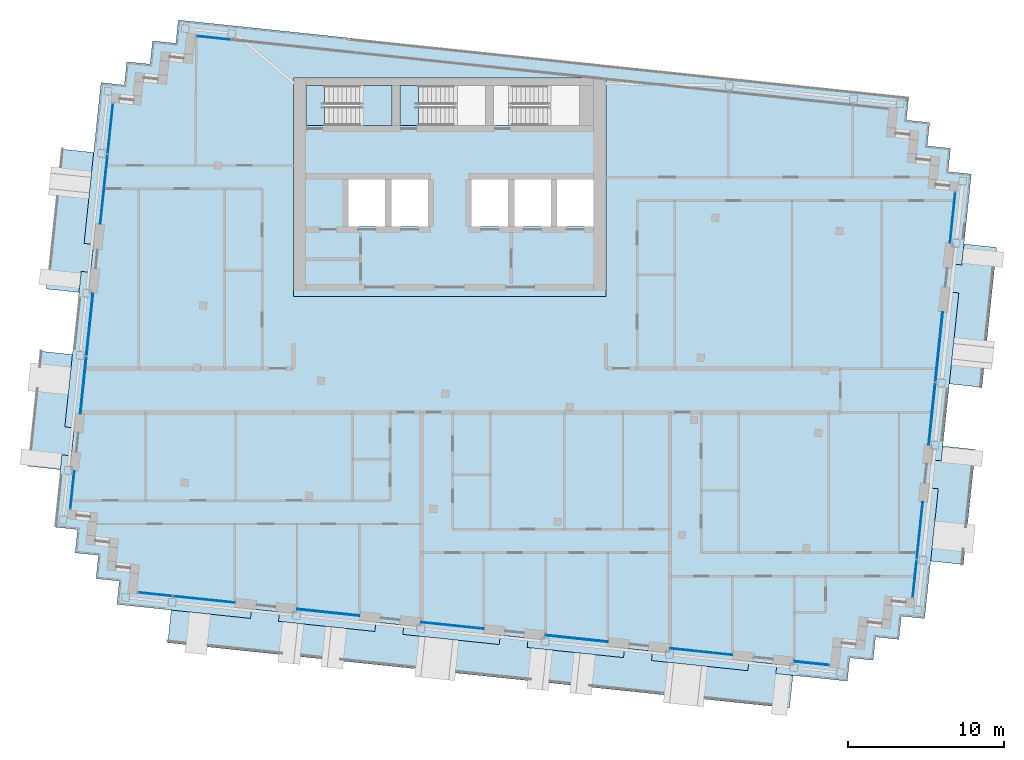
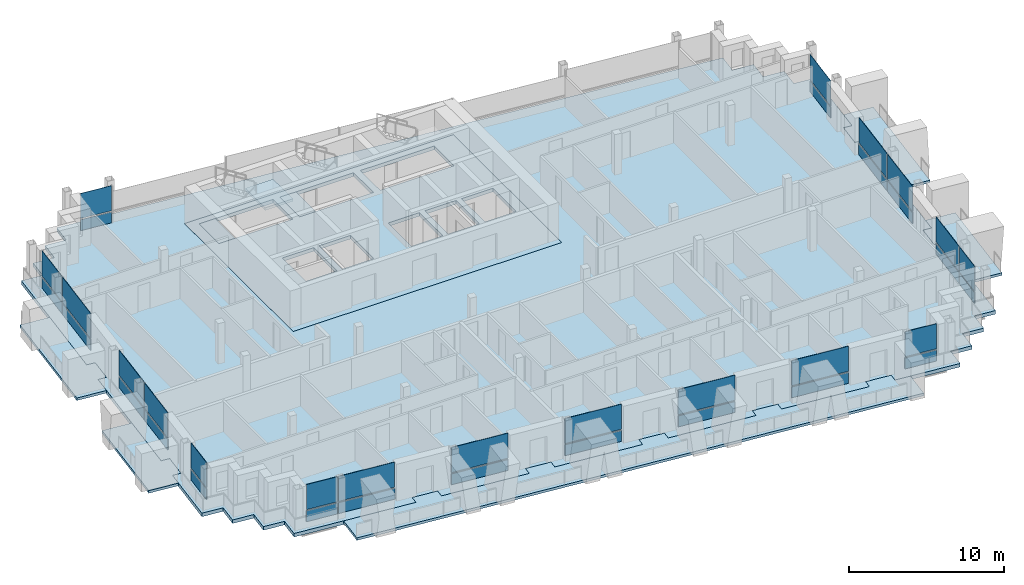
# One storey, part 7 of 17: 36 plates, 10 slabs, 14 elements without a shape of their own.
"""IFC4 building model written with IfcOpenShell, lengths in metres."""

import ifcopenshell
import ifcopenshell.guid

model = None  # the IFC model being written
_history = None  # IfcOwnerHistory: only IFC2X3 demands one
_inside = {}  # id of a spatial element -> (the spatial element, [elements in it])
_under = {}  # id of a project, library or spatial element -> (it, [spatial elements below it])
_declared = {}  # id of a project -> (the project, [libraries it declares])
_typed = {}  # id of a type object -> (the type object, [elements of that type])
_made_of = {}  # id of a material, layer set ... -> (it, [elements and type objects made of it])


def new_model(schema):
    """Start an empty IFC model of exactly this schema.

    Asked for "IFC4X3", IfcOpenShell would pick the latest addendum, in which some entities
    have other attributes; the version numbers below select the first issue.
    IFC2X3 requires an IfcOwnerHistory on every rooted entity: one is made here for all.
    """
    global model, _history
    if schema == "IFC4X3":
        model = ifcopenshell.file(schema_version=(4, 3, 0, 0))
    else:
        model = ifcopenshell.file(schema=schema)
    _inside.clear()
    _under.clear()
    _declared.clear()
    _typed.clear()
    _made_of.clear()
    _history = None
    if model.schema == "IFC2X3":
        org = make("IfcOrganization", Name="unknown")
        user = make(
            "IfcPersonAndOrganization",
            ThePerson=make("IfcPerson", FamilyName="unknown"),
            TheOrganization=org,
        )
        app = make(
            "IfcApplication",
            ApplicationDeveloper=org,
            Version="unknown",
            ApplicationFullName="unknown",
            ApplicationIdentifier="unknown",
        )
        _history = make(
            "IfcOwnerHistory",
            OwningUser=user,
            OwningApplication=app,
            ChangeAction="ADDED",
            CreationDate=0,
        )
    return model


def make(cls, **values):
    """One entity of the class cls with the attributes given. An attribute that is None is left unset."""
    return model.create_entity(
        cls, **{name: value for name, value in values.items() if value is not None}
    )


def rooted(cls, **values):
    """An entity with a GlobalId (a new one), such as an element, a storey or a relation."""
    return make(cls, GlobalId=ifcopenshell.guid.new(), OwnerHistory=_history, **values)


def si_unit(unit_type, name, prefix=None):
    """IfcSIUnit, for example si_unit("LENGTHUNIT", "METRE", prefix="MILLI")."""
    return make("IfcSIUnit", UnitType=unit_type, Prefix=prefix, Name=name)


def assignment(units):
    """IfcUnitAssignment: the units of a project."""
    return None if units is None else make("IfcUnitAssignment", Units=units)


def point(xyz):
    """IfcCartesianPoint."""
    return None if xyz is None else make("IfcCartesianPoint", Coordinates=xyz)


def direction(xyz):
    """IfcDirection."""
    return None if xyz is None else make("IfcDirection", DirectionRatios=xyz)


def frame(location, z_axis=None, x_axis=None):
    """IfcAxis2Placement3D, a coordinate frame: its origin and axes. An axis left out is left unset."""
    return make(
        "IfcAxis2Placement3D",
        Location=point(location),
        Axis=direction(z_axis),
        RefDirection=direction(x_axis),
    )


def frame_2d(location, x_axis=None):
    """IfcAxis2Placement2D, a coordinate frame in the plane: its origin and x axis."""
    return make(
        "IfcAxis2Placement2D", Location=point(location), RefDirection=direction(x_axis)
    )


def origin():
    """The frame at (0, 0, 0) with its axes left unset."""
    return frame((0.0, 0.0, 0.0))


def origin_2d():
    """The frame at (0, 0) in the plane with its x axis left unset."""
    return frame_2d((0.0, 0.0))


def place(relative_to, where):
    """IfcLocalPlacement: puts the frame where relative to a parent placement (None: the world)."""
    return make(
        "IfcLocalPlacement", PlacementRelTo=relative_to, RelativePlacement=where
    )


def context(
    kind, dimensions, precision=None, world=None, true_north=None, identifier=None
):
    """IfcGeometricRepresentationContext, for example the 3D "Model" context."""
    return make(
        "IfcGeometricRepresentationContext",
        ContextIdentifier=identifier,
        ContextType=kind,
        CoordinateSpaceDimension=dimensions,
        Precision=precision,
        WorldCoordinateSystem=world,
        TrueNorth=true_north,
    )


def subcontext(parent, identifier, kind, view, scale=None):
    """IfcGeometricRepresentationSubContext, for example "Body" below "Model"."""
    return make(
        "IfcGeometricRepresentationSubContext",
        ContextIdentifier=identifier,
        ContextType=kind,
        ParentContext=parent,
        TargetScale=scale,
        TargetView=view,
    )


def project(units=None, contexts=None):
    """IfcProject with its units and contexts."""
    return rooted(
        "IfcProject",
        Name="project",
        RepresentationContexts=contexts,
        UnitsInContext=assignment(units),
    )


def spatial(cls, under=None, at=None, **own):
    """A site, building, storey or space (cls), placed at a placement, below another one or the project."""
    s = rooted(cls, ObjectPlacement=at, **own)
    if under is not None:
        _under.setdefault(under.id(), (under, []))[1].append(s)
    return s


def polyline(points):
    """IfcPolyline through the points."""
    return make("IfcPolyline", Points=[point(p) for p in points])


def profile(cls, at=None, kind="AREA", **sizes):
    """A parametric profile (cls). Its sizes go by their IFC names, for example OverallWidth=200.0."""
    return make(cls, ProfileType=kind, Position=at, **sizes)


def rectangle(**sizes):
    """IfcRectangleProfileDef."""
    return profile("IfcRectangleProfileDef", **sizes)


def outline(outer, holes=None, kind="AREA"):
    """IfcArbitraryClosedProfileDef: a profile drawn as a closed curve; with holes, ...WithVoids."""
    if holes is None:
        return make("IfcArbitraryClosedProfileDef", ProfileType=kind, OuterCurve=outer)
    return make(
        "IfcArbitraryProfileDefWithVoids",
        ProfileType=kind,
        OuterCurve=outer,
        InnerCurves=holes,
    )


def extrude(swept, where, along, depth):
    """IfcExtrudedAreaSolid: the profile swept, set in the frame where, extruded along a direction by depth."""
    return make(
        "IfcExtrudedAreaSolid",
        SweptArea=swept,
        Position=where,
        ExtrudedDirection=direction(along),
        Depth=depth,
    )


def shape(context_of_items, identifier, shape_type, items):
    """IfcShapeRepresentation: the items that make up one representation, for example the "Body"."""
    return make(
        "IfcShapeRepresentation",
        ContextOfItems=context_of_items,
        RepresentationIdentifier=identifier,
        RepresentationType=shape_type,
        Items=items,
    )


def material(Name=None, Category=None):
    """IfcMaterial."""
    return make("IfcMaterial", Name=Name, Category=Category)


def layer(
    of_material, thickness, ventilated=None, Name=None, Category=None, Priority=None
):
    """IfcMaterialLayer: one layer of a wall or slab, of a material (None: an air gap)."""
    return make(
        "IfcMaterialLayer",
        Material=of_material,
        LayerThickness=thickness,
        IsVentilated=ventilated,
        Name=Name,
        Category=Category,
        Priority=Priority,
    )


def layer_set(layers, Name=None):
    """IfcMaterialLayerSet."""
    return make("IfcMaterialLayerSet", MaterialLayers=layers, LayerSetName=Name)


def made_of(thing, what):
    """Note that an element or type object is made of a material, layer set ...; save() writes the relation."""
    if what is not None:
        _made_of.setdefault(what.id(), (what, []))[1].append(thing)
    return thing


def type_object(cls, material=None, **own):
    """A type object (cls), such as IfcWallType, which elements share."""
    return made_of(rooted(cls, **own), material)


def element(
    cls,
    number,
    at=None,
    inside=None,
    cuts=None,
    type_object=None,
    material=None,
    context=None,
    identifier="Body",
    shape_type=None,
    held_by="IfcProductDefinitionShape",
    body=None,
    shapes=None,
    **own,
):
    """One element of the class cls, such as IfcWall. Its Tag is "e" and its number.

    at: its placement. inside: the storey or other place that contains it. cuts: it is an
    opening in that element (IfcRelVoidsElement). A single representation is given by context,
    identifier, shape_type and body (its items); several are given by shapes. held_by: the class
    of the entity that holds the representations. save() writes the other relations.
    """
    e = rooted(cls, Tag="e%d" % number, ObjectPlacement=at, **own)
    if body is not None:
        shapes = [shape(context, identifier, shape_type, body)]
    if shapes is not None:
        e.Representation = make(held_by, Representations=shapes)
    if inside is not None:
        _inside.setdefault(inside.id(), (inside, []))[1].append(e)
    if cuts is not None:
        rooted(
            "IfcRelVoidsElement", RelatingBuildingElement=cuts, RelatedOpeningElement=e
        )
    if type_object is not None:
        _typed.setdefault(type_object.id(), (type_object, []))[1].append(e)
    return made_of(e, material)


def aggregate(whole, parts):
    """IfcRelAggregates: a whole, such as a stair, and the parts it consists of."""
    return rooted("IfcRelAggregates", RelatingObject=whole, RelatedObjects=parts)


def save(model, path):
    """Write the relations noted so far, then the file.

    IfcRelAggregates (storeys below a building ...), IfcRelContainedInSpatialStructure (elements
    in a storey), IfcRelDefinesByType, IfcRelAssociatesMaterial and IfcRelDeclares: one each for
    every whole, place, type object, material and project.
    """
    for whole, parts in _under.values():
        aggregate(whole, parts)
    for where, things in _inside.values():
        rooted(
            "IfcRelContainedInSpatialStructure",
            RelatedElements=things,
            RelatingStructure=where,
        )
    for kind, things in _typed.values():
        rooted("IfcRelDefinesByType", RelatedObjects=things, RelatingType=kind)
    for what, things in _made_of.values():
        rooted("IfcRelAssociatesMaterial", RelatedObjects=things, RelatingMaterial=what)
    for by, libraries in _declared.values():
        rooted("IfcRelDeclares", RelatingContext=by, RelatedDefinitions=libraries)
    model.write(path)


model = new_model("IFC4")

# Units and contexts
model_context = context("Model", 3, precision=1e-05, world=origin(), true_north=direction((0.0, 1.0)))
body_context = subcontext(model_context, "Body", "Model", "MODEL_VIEW")
ifc_project = project(units=[si_unit("LENGTHUNIT", "METRE"), si_unit("AREAUNIT", "SQUARE_METRE"), si_unit("VOLUMEUNIT", "CUBIC_METRE"), si_unit("PLANEANGLEUNIT", "RADIAN"), si_unit("MASSUNIT", "GRAM", prefix="KILO")], contexts=[model_context])

# Site, building, storey
site_placement = place(None, origin())
site = spatial("IfcSite", under=ifc_project, at=site_placement, CompositionType="ELEMENT")
building_placement = place(site_placement, origin())
building = spatial("IfcBuilding", under=site, at=building_placement, Name="Vidyagriha Tower", CompositionType="ELEMENT")
storey_placement = place(building_placement, frame((0.0, 0.0, 262.699951171875)))
storey = spatial("IfcBuildingStorey", under=building, at=storey_placement, Name="L68", CompositionType="ELEMENT", Elevation=262.699951171875)

# Curtain wall, plate
ifc_material_1 = material(Name="Aluminium and glass curtain wall", Category="aluminium")
curtain_wall_type = type_object("IfcCurtainWallType", Name="Dwelling skin unitised curtain wall", PredefinedType="USERDEFINED", material=ifc_material_1)
curtain_wall_1_placement = place(storey_placement, origin())
curtain_wall_1 = element("IfcCurtainWall", 1, at=curtain_wall_1_placement, inside=storey, type_object=curtain_wall_type, Name="CW1 dwelling skin", ObjectType="UNITISED", PredefinedType="USERDEFINED")
ifc_material_2 = material(Name="Glass dark ceramic-fritted spandrel", Category="glass")
ifc_layer_1 = layer(ifc_material_2, 0.0400390625)
ifc_layer_set_1 = layer_set([ifc_layer_1], Name="Glass dark ceramic-fritted spandrel")
plate_type_1 = type_object("IfcPlateType", Name="Ceramic-fritted spandrel panel", PredefinedType="CURTAIN_PANEL", material=ifc_layer_set_1)
plate_1_placement = place(storey_placement, frame((-15.11083984375, 22.56396484375, 0.0), z_axis=(0.0, 0.0, 1.0), x_axis=(-0.994521854435, 0.104528852722, 0.0)))
plate_1 = element("IfcPlate", 2, at=plate_1_placement, type_object=plate_type_1, Name="CW1 panel 7.1", PredefinedType="CURTAIN_PANEL", context=body_context, shape_type="SweptSolid", body=[
    extrude(rectangle(XDim=2.195068359375, YDim=0.0400390625, at=origin_2d()), origin(), (0.0, 0.0, 1.0), 0.85009765625),
])

# Curtain wall, plates
curtain_wall_2_placement = place(storey_placement, origin())
curtain_wall_2 = element("IfcCurtainWall", 3, at=curtain_wall_2_placement, inside=storey, type_object=curtain_wall_type, Name="CW1 dwelling skin", ObjectType="UNITISED", PredefinedType="USERDEFINED")
plate_2_placement = place(storey_placement, frame((-21.7216796875, 16.755615234375, 0.0), z_axis=(0.0, 0.0, 1.0), x_axis=(-0.104525282489, -0.994522229676, 0.0)))
plate_2 = element("IfcPlate", 4, at=plate_2_placement, type_object=plate_type_1, Name="CW1 panel 1.1", PredefinedType="CURTAIN_PANEL", context=body_context, shape_type="SweptSolid", body=[
    extrude(rectangle(XDim=3.195068359375, YDim=0.0400390625, at=origin_2d()), origin(), (0.0, 0.0, 1.0), 0.85009765625),
])
plate_3_placement = place(storey_placement, frame((-22.12939453125, 12.876953125, 0.0), z_axis=(0.0, 0.0, 1.0), x_axis=(-0.104525282489, -0.994522229676, 0.0)))
plate_3 = element("IfcPlate", 5, at=plate_3_placement, type_object=plate_type_1, Name="CW1 panel 2.1", PredefinedType="CURTAIN_PANEL", context=body_context, shape_type="SweptSolid", body=[
    extrude(rectangle(XDim=4.465087890625, YDim=0.0400390625, at=origin_2d()), origin(), (0.0, 0.0, 1.0), 0.85009765625),
])

# Curtain wall, plate
curtain_wall_3_placement = place(storey_placement, origin())
curtain_wall_3 = element("IfcCurtainWall", 6, at=curtain_wall_3_placement, inside=storey, type_object=curtain_wall_type, Name="CW1 dwelling skin", ObjectType="UNITISED", PredefinedType="USERDEFINED")
plate_4_placement = place(storey_placement, frame((-24.151611328125, -6.364501953125, 0.0), z_axis=(0.0, 0.0, 1.0), x_axis=(-0.10451613172, -0.994523191389, 0.0)))
plate_4 = element("IfcPlate", 7, at=plate_4_placement, type_object=plate_type_1, Name="CW1 panel 1.1", PredefinedType="CURTAIN_PANEL", context=body_context, shape_type="SweptSolid", body=[
    extrude(rectangle(XDim=2.43017578125, YDim=0.0400390625, at=origin_2d()), origin(), (0.0, 0.0, 1.0), 0.85009765625),
])

# Curtain wall, plates
curtain_wall_4_placement = place(storey_placement, origin())
curtain_wall_4 = element("IfcCurtainWall", 8, at=curtain_wall_4_placement, inside=storey, type_object=curtain_wall_type, Name="CW1 dwelling skin", ObjectType="UNITISED", PredefinedType="USERDEFINED")
plate_5_placement = place(storey_placement, frame((-18.852783203125, -13.0400390625, 0.0), z_axis=(0.0, 0.0, 1.0), x_axis=(0.994522400055, -0.104523661385, 0.0)))
plate_5 = element("IfcPlate", 9, at=plate_5_placement, type_object=plate_type_1, Name="CW1 panel 1.1", PredefinedType="CURTAIN_PANEL", context=body_context, shape_type="SweptSolid", body=[
    extrude(rectangle(XDim=2.195068359375, YDim=0.0400390625, at=origin_2d()), origin(), (0.0, 0.0, 1.0), 0.85009765625),
])
plate_6_placement = place(storey_placement, frame((-15.72021484375, -13.369384765625, 0.0), z_axis=(0.0, 0.0, 1.0), x_axis=(0.994522400055, -0.104523661385, 0.0)))
plate_6 = element("IfcPlate", 10, at=plate_6_placement, type_object=plate_type_1, Name="CW1 panel 2.1", PredefinedType="CURTAIN_PANEL", context=body_context, shape_type="SweptSolid", body=[
    extrude(rectangle(XDim=3.965087890625, YDim=0.0400390625, at=origin_2d()), origin(), (0.0, 0.0, 1.0), 0.85009765625),
])

# Curtain wall, plate
curtain_wall_5_placement = place(storey_placement, origin())
curtain_wall_5 = element("IfcCurtainWall", 11, at=curtain_wall_5_placement, inside=storey, type_object=curtain_wall_type, Name="CW1 dwelling skin", ObjectType="UNITISED", PredefinedType="USERDEFINED")
plate_7_placement = place(storey_placement, frame((0.1748046875, -15.039794921875, 0.0), z_axis=(0.0, 0.0, 1.0), x_axis=(0.994522016164, -0.104527313963, 0.0)))
plate_7 = element("IfcPlate", 12, at=plate_7_placement, type_object=plate_type_1, Name="CW1 panel 1.1", PredefinedType="CURTAIN_PANEL", context=body_context, shape_type="SweptSolid", body=[
    extrude(rectangle(XDim=4.0, YDim=0.0400390625, at=origin_2d()), origin(), (0.0, 0.0, 1.0), 0.85009765625),
])

curtain_wall_6_placement = place(storey_placement, origin())
curtain_wall_6 = element("IfcCurtainWall", 13, at=curtain_wall_6_placement, inside=storey, type_object=curtain_wall_type, Name="CW1 dwelling skin", ObjectType="UNITISED", PredefinedType="USERDEFINED")
plate_8_placement = place(storey_placement, frame((16.087158203125, -16.71240234375, 0.0), z_axis=(0.0, 0.0, 1.0), x_axis=(0.994522289309, -0.104524715101, 0.0)))
plate_8 = element("IfcPlate", 14, at=plate_8_placement, type_object=plate_type_1, Name="CW1 panel 1.1", PredefinedType="CURTAIN_PANEL", context=body_context, shape_type="SweptSolid", body=[
    extrude(rectangle(XDim=4.0, YDim=0.0400390625, at=origin_2d()), origin(), (0.0, 0.0, 1.0), 0.85009765625),
])

# Curtain wall, plates
curtain_wall_7_placement = place(storey_placement, origin())
curtain_wall_7 = element("IfcCurtainWall", 15, at=curtain_wall_7_placement, inside=storey, type_object=curtain_wall_type, Name="CW1 dwelling skin", ObjectType="UNITISED", PredefinedType="USERDEFINED")
plate_9_placement = place(storey_placement, frame((29.74951171875, -12.04736328125, 0.0), z_axis=(0.0, 0.0, 1.0), x_axis=(0.10453281607, 0.994521437861, 0.0)))
plate_9 = element("IfcPlate", 16, at=plate_9_placement, type_object=plate_type_1, Name="CW1 panel 1.1", PredefinedType="CURTAIN_PANEL", context=body_context, shape_type="SweptSolid", body=[
    extrude(rectangle(XDim=2.39501953125, YDim=0.0400390625, at=origin_2d()), origin(), (0.0, 0.0, 1.0), 0.85009765625),
])
plate_10_placement = place(storey_placement, frame((30.073486328125, -8.96435546875, 0.0), z_axis=(0.0, 0.0, 1.0), x_axis=(0.10453281607, 0.994521437861, 0.0)))
plate_10 = element("IfcPlate", 17, at=plate_10_placement, type_object=plate_type_1, Name="CW1 panel 2.1", PredefinedType="CURTAIN_PANEL", context=body_context, shape_type="SweptSolid", body=[
    extrude(rectangle(XDim=3.6650390625, YDim=0.0400390625, at=origin_2d()), origin(), (0.0, 0.0, 1.0), 0.85009765625),
])

# Curtain wall, plate
curtain_wall_8_placement = place(storey_placement, origin())
curtain_wall_8 = element("IfcCurtainWall", 18, at=curtain_wall_8_placement, inside=storey, type_object=curtain_wall_type, Name="CW1 dwelling skin", ObjectType="UNITISED", PredefinedType="USERDEFINED")
plate_11_placement = place(storey_placement, frame((32.1796875, 11.07275390625, 0.0), z_axis=(0.0, 0.0, 1.0), x_axis=(0.10451599791, 0.994523205451, 0.0)))
plate_11 = element("IfcPlate", 19, at=plate_11_placement, type_object=plate_type_1, Name="CW1 panel 1.1", PredefinedType="CURTAIN_PANEL", context=body_context, shape_type="SweptSolid", body=[
    extrude(rectangle(XDim=3.22998046875, YDim=0.0400390625, at=origin_2d()), origin(), (0.0, 0.0, 1.0), 0.85009765625),
])

# Slab
ifc_material_3 = material(Name="Concrete C60/75", Category="concrete")
ifc_layer_2 = layer(ifc_material_3, 0.280029296875)
ifc_layer_set_2 = layer_set([ifc_layer_2], Name="Concrete C60/75")
slab_type_1 = type_object("IfcSlabType", Name="Core floor slab 280 mm", PredefinedType="FLOOR", material=ifc_layer_set_2)
slab_1_placement = place(storey_placement, frame((0.0, 0.0, -0.280029296875)))
element("IfcSlab", 20, at=slab_1_placement, inside=storey, type_object=slab_type_1, Name="L68 core floor 1", PredefinedType="FLOOR", context=body_context, shape_type="SweptSolid", body=[
    extrude(outline(polyline([(-10.0, 6.0), (-10.0, 20.0), (10.0, 20.0), (10.0, 6.0), (-10.0, 6.0)]), holes=[polyline([(6.86669921875, 13.5), (6.86669921875, 10.5), (9.199951171875, 10.5), (9.199951171875, 13.5), (6.86669921875, 13.5)]), polyline([(4.0, 19.5), (2.800048828125, 19.5), (2.800048828125, 16.949951171875), (4.0, 16.949951171875), (8.300048828125, 16.949951171875), (8.300048828125, 19.5), (4.0, 19.5)]), polyline([(6.466796875, 13.5), (4.13330078125, 13.5), (4.13330078125, 10.5), (6.466796875, 10.5), (6.466796875, 13.5)]), polyline([(3.7333984375, 13.5), (1.39990234375, 13.5), (1.39990234375, 10.5), (3.7333984375, 10.5), (3.7333984375, 13.5)]), polyline([(-2.0, 16.949951171875), (2.300048828125, 16.949951171875), (2.300048828125, 19.5), (-2.0, 19.5), (-3.199951171875, 19.5), (-3.199951171875, 16.949951171875), (-2.0, 16.949951171875)]), polyline([(-3.7333984375, 13.5), (-3.7333984375, 10.5), (-1.39990234375, 10.5), (-1.39990234375, 13.5), (-3.7333984375, 13.5)]), polyline([(-9.199951171875, 19.5), (-9.199951171875, 16.949951171875), (-8.0, 16.949951171875), (-3.699951171875, 16.949951171875), (-3.699951171875, 19.5), (-8.0, 19.5), (-9.199951171875, 19.5)]), polyline([(-6.466796875, 13.5), (-6.466796875, 10.5), (-4.13330078125, 10.5), (-4.13330078125, 13.5), (-6.466796875, 13.5)])]), origin(), (0.0, 0.0, 1.0), 0.280029296875),
])

# Plate
ifc_material_4 = material(Name="Glass dark ceramic-fritted", Category="glass")
ifc_layer_3 = layer(ifc_material_4, 0.028076171875)
ifc_layer_set_3 = layer_set([ifc_layer_3], Name="Glass dark ceramic-fritted")
plate_type_2 = type_object("IfcPlateType", Name="Dark ceramic-fritted vision glass panel", PredefinedType="CURTAIN_PANEL", material=ifc_layer_set_3)
plate_12_placement = place(storey_placement, frame((-15.11083984375, 22.56396484375, 0.9501953125), z_axis=(0.0, 0.0, 1.0), x_axis=(-0.994521854435, 0.104528852722, 0.0)))
plate_12 = element("IfcPlate", 21, at=plate_12_placement, type_object=plate_type_2, Name="CW1 panel 7.2", PredefinedType="CURTAIN_PANEL", context=body_context, shape_type="SweptSolid", body=[
    extrude(rectangle(XDim=2.195068359375, YDim=0.028076171875, at=origin_2d()), origin(), (0.0, 0.0, 1.0), 1.969970703125),
])

aggregate(curtain_wall_1, [plate_1, plate_12])

plate_13_placement = place(storey_placement, frame((-21.7216796875, 16.755615234375, 0.9501953125), z_axis=(0.0, 0.0, 1.0), x_axis=(-0.104525282489, -0.994522229676, 0.0)))
plate_13 = element("IfcPlate", 22, at=plate_13_placement, type_object=plate_type_2, Name="CW1 panel 1.2", PredefinedType="CURTAIN_PANEL", context=body_context, shape_type="SweptSolid", body=[
    extrude(rectangle(XDim=3.195068359375, YDim=0.028076171875, at=origin_2d()), origin(), (0.0, 0.0, 1.0), 1.969970703125),
])

plate_14_placement = place(storey_placement, frame((-22.12939453125, 12.876953125, 0.9501953125), z_axis=(0.0, 0.0, 1.0), x_axis=(-0.104525282489, -0.994522229676, 0.0)))
plate_14 = element("IfcPlate", 23, at=plate_14_placement, type_object=plate_type_2, Name="CW1 panel 2.2", PredefinedType="CURTAIN_PANEL", context=body_context, shape_type="SweptSolid", body=[
    extrude(rectangle(XDim=4.465087890625, YDim=0.028076171875, at=origin_2d()), origin(), (0.0, 0.0, 1.0), 1.969970703125),
])

aggregate(curtain_wall_2, [plate_2, plate_13, plate_3, plate_14])

# Curtain wall, plates
curtain_wall_9_placement = place(storey_placement, origin())
curtain_wall_9 = element("IfcCurtainWall", 24, at=curtain_wall_9_placement, inside=storey, type_object=curtain_wall_type, Name="CW1 dwelling skin", ObjectType="UNITISED", PredefinedType="USERDEFINED")
plate_15_placement = place(storey_placement, frame((-23.040283203125, 4.209716796875, 0.9501953125), z_axis=(0.0, 0.0, 1.0), x_axis=(-0.10453267483, -0.994521452706, 0.0)))
plate_15 = element("IfcPlate", 25, at=plate_15_placement, type_object=plate_type_2, Name="CW1 panel 1.2", PredefinedType="CURTAIN_PANEL", context=body_context, shape_type="SweptSolid", body=[
    extrude(rectangle(XDim=3.965087890625, YDim=0.028076171875, at=origin_2d()), origin(), (0.0, 0.0, 1.0), 1.969970703125),
])
plate_16_placement = place(storey_placement, frame((-23.4462890625, 0.345947265625, 0.9501953125), z_axis=(0.0, 0.0, 1.0), x_axis=(-0.10453267483, -0.994521452706, 0.0)))
plate_16 = element("IfcPlate", 26, at=plate_16_placement, type_object=plate_type_2, Name="CW1 panel 2.2", PredefinedType="CURTAIN_PANEL", context=body_context, shape_type="SweptSolid", body=[
    extrude(rectangle(XDim=3.6650390625, YDim=0.028076171875, at=origin_2d()), origin(), (0.0, 0.0, 1.0), 1.969970703125),
])

# Plate
plate_17_placement = place(storey_placement, frame((-24.151611328125, -6.364501953125, 0.9501953125), z_axis=(0.0, 0.0, 1.0), x_axis=(-0.10451613172, -0.994523191389, 0.0)))
plate_17 = element("IfcPlate", 27, at=plate_17_placement, type_object=plate_type_2, Name="CW1 panel 1.2", PredefinedType="CURTAIN_PANEL", context=body_context, shape_type="SweptSolid", body=[
    extrude(rectangle(XDim=2.43017578125, YDim=0.028076171875, at=origin_2d()), origin(), (0.0, 0.0, 1.0), 1.969970703125),
])

aggregate(curtain_wall_3, [plate_4, plate_17])

plate_18_placement = place(storey_placement, frame((-18.852783203125, -13.0400390625, 0.9501953125), z_axis=(0.0, 0.0, 1.0), x_axis=(0.994522400055, -0.104523661385, 0.0)))
plate_18 = element("IfcPlate", 28, at=plate_18_placement, type_object=plate_type_2, Name="CW1 panel 1.2", PredefinedType="CURTAIN_PANEL", context=body_context, shape_type="SweptSolid", body=[
    extrude(rectangle(XDim=2.195068359375, YDim=0.028076171875, at=origin_2d()), origin(), (0.0, 0.0, 1.0), 1.969970703125),
])

plate_19_placement = place(storey_placement, frame((-15.72021484375, -13.369384765625, 0.9501953125), z_axis=(0.0, 0.0, 1.0), x_axis=(0.994522400055, -0.104523661385, 0.0)))
plate_19 = element("IfcPlate", 29, at=plate_19_placement, type_object=plate_type_2, Name="CW1 panel 2.2", PredefinedType="CURTAIN_PANEL", context=body_context, shape_type="SweptSolid", body=[
    extrude(rectangle(XDim=3.965087890625, YDim=0.028076171875, at=origin_2d()), origin(), (0.0, 0.0, 1.0), 1.969970703125),
])

aggregate(curtain_wall_4, [plate_5, plate_18, plate_6, plate_19])

# Curtain wall, plate
curtain_wall_10_placement = place(storey_placement, origin())
curtain_wall_10 = element("IfcCurtainWall", 30, at=curtain_wall_10_placement, inside=storey, type_object=curtain_wall_type, Name="CW1 dwelling skin", ObjectType="UNITISED", PredefinedType="USERDEFINED")
plate_20_placement = place(storey_placement, frame((-7.78125, -14.20361328125, 0.9501953125), z_axis=(0.0, 0.0, 1.0), x_axis=(0.994519690211, -0.104549441808, 0.0)))
plate_20 = element("IfcPlate", 31, at=plate_20_placement, type_object=plate_type_2, Name="CW1 panel 1.2", PredefinedType="CURTAIN_PANEL", context=body_context, shape_type="SweptSolid", body=[
    extrude(rectangle(XDim=4.0, YDim=0.028076171875, at=origin_2d()), origin(), (0.0, 0.0, 1.0), 1.969970703125),
])

# Plate
plate_21_placement = place(storey_placement, frame((0.1748046875, -15.039794921875, 0.9501953125), z_axis=(0.0, 0.0, 1.0), x_axis=(0.994522016164, -0.104527313963, 0.0)))
plate_21 = element("IfcPlate", 32, at=plate_21_placement, type_object=plate_type_2, Name="CW1 panel 1.2", PredefinedType="CURTAIN_PANEL", context=body_context, shape_type="SweptSolid", body=[
    extrude(rectangle(XDim=4.0, YDim=0.028076171875, at=origin_2d()), origin(), (0.0, 0.0, 1.0), 1.969970703125),
])

aggregate(curtain_wall_5, [plate_7, plate_21])

# Curtain wall, plate
curtain_wall_11_placement = place(storey_placement, origin())
curtain_wall_11 = element("IfcCurtainWall", 33, at=curtain_wall_11_placement, inside=storey, type_object=curtain_wall_type, Name="CW1 dwelling skin", ObjectType="UNITISED", PredefinedType="USERDEFINED")
plate_22_placement = place(storey_placement, frame((8.131103515625, -15.876220703125, 0.9501953125), z_axis=(0.0, 0.0, 1.0), x_axis=(0.994522289309, -0.104524715101, 0.0)))
plate_22 = element("IfcPlate", 34, at=plate_22_placement, type_object=plate_type_2, Name="CW1 panel 1.2", PredefinedType="CURTAIN_PANEL", context=body_context, shape_type="SweptSolid", body=[
    extrude(rectangle(XDim=4.0, YDim=0.028076171875, at=origin_2d()), origin(), (0.0, 0.0, 1.0), 1.969970703125),
])

# Plate
plate_23_placement = place(storey_placement, frame((16.087158203125, -16.71240234375, 0.9501953125), z_axis=(0.0, 0.0, 1.0), x_axis=(0.994522289309, -0.104524715101, 0.0)))
plate_23 = element("IfcPlate", 35, at=plate_23_placement, type_object=plate_type_2, Name="CW1 panel 1.2", PredefinedType="CURTAIN_PANEL", context=body_context, shape_type="SweptSolid", body=[
    extrude(rectangle(XDim=4.0, YDim=0.028076171875, at=origin_2d()), origin(), (0.0, 0.0, 1.0), 1.969970703125),
])

aggregate(curtain_wall_6, [plate_8, plate_23])

# Curtain wall, plate
curtain_wall_12_placement = place(storey_placement, origin())
curtain_wall_12 = element("IfcCurtainWall", 36, at=curtain_wall_12_placement, inside=storey, type_object=curtain_wall_type, Name="CW1 dwelling skin", ObjectType="UNITISED", PredefinedType="USERDEFINED")
plate_24_placement = place(storey_placement, frame((23.1630859375, -17.4560546875, 0.9501953125), z_axis=(0.0, 0.0, 1.0), x_axis=(0.994522592653, -0.10452182883, 0.0)))
plate_24 = element("IfcPlate", 37, at=plate_24_placement, type_object=plate_type_2, Name="CW1 panel 1.2", PredefinedType="CURTAIN_PANEL", context=body_context, shape_type="SweptSolid", body=[
    extrude(rectangle(XDim=2.22998046875, YDim=0.028076171875, at=origin_2d()), origin(), (0.0, 0.0, 1.0), 1.969970703125),
])

# Plate
plate_25_placement = place(storey_placement, frame((29.74951171875, -12.04736328125, 0.9501953125), z_axis=(0.0, 0.0, 1.0), x_axis=(0.10453281607, 0.994521437861, 0.0)))
plate_25 = element("IfcPlate", 38, at=plate_25_placement, type_object=plate_type_2, Name="CW1 panel 1.2", PredefinedType="CURTAIN_PANEL", context=body_context, shape_type="SweptSolid", body=[
    extrude(rectangle(XDim=2.39501953125, YDim=0.028076171875, at=origin_2d()), origin(), (0.0, 0.0, 1.0), 1.969970703125),
])

plate_26_placement = place(storey_placement, frame((30.073486328125, -8.96435546875, 0.9501953125), z_axis=(0.0, 0.0, 1.0), x_axis=(0.10453281607, 0.994521437861, 0.0)))
plate_26 = element("IfcPlate", 39, at=plate_26_placement, type_object=plate_type_2, Name="CW1 panel 2.2", PredefinedType="CURTAIN_PANEL", context=body_context, shape_type="SweptSolid", body=[
    extrude(rectangle(XDim=3.6650390625, YDim=0.028076171875, at=origin_2d()), origin(), (0.0, 0.0, 1.0), 1.969970703125),
])

aggregate(curtain_wall_7, [plate_9, plate_25, plate_10, plate_26])

# Curtain wall, plates
curtain_wall_13_placement = place(storey_placement, origin())
curtain_wall_13 = element("IfcCurtainWall", 40, at=curtain_wall_13_placement, inside=storey, type_object=curtain_wall_type, Name="CW1 dwelling skin", ObjectType="UNITISED", PredefinedType="USERDEFINED")
plate_27_placement = place(storey_placement, frame((30.859130859375, -1.490478515625, 0.9501953125), z_axis=(0.0, 0.0, 1.0), x_axis=(0.104529843047, 0.994521750347, 0.0)))
plate_27 = element("IfcPlate", 41, at=plate_27_placement, type_object=plate_type_2, Name="CW1 panel 1.2", PredefinedType="CURTAIN_PANEL", context=body_context, shape_type="SweptSolid", body=[
    extrude(rectangle(XDim=3.965087890625, YDim=0.028076171875, at=origin_2d()), origin(), (0.0, 0.0, 1.0), 1.969970703125),
])
plate_28_placement = place(storey_placement, frame((31.306884765625, 2.77099609375, 0.9501953125), z_axis=(0.0, 0.0, 1.0), x_axis=(0.104529843047, 0.994521750347, 0.0)))
plate_28 = element("IfcPlate", 42, at=plate_28_placement, type_object=plate_type_2, Name="CW1 panel 2.2", PredefinedType="CURTAIN_PANEL", context=body_context, shape_type="SweptSolid", body=[
    extrude(rectangle(XDim=4.465087890625, YDim=0.028076171875, at=origin_2d()), origin(), (0.0, 0.0, 1.0), 1.969970703125),
])

# Plate
plate_29_placement = place(storey_placement, frame((32.1796875, 11.07275390625, 0.9501953125), z_axis=(0.0, 0.0, 1.0), x_axis=(0.10451599791, 0.994523205451, 0.0)))
plate_29 = element("IfcPlate", 43, at=plate_29_placement, type_object=plate_type_2, Name="CW1 panel 1.2", PredefinedType="CURTAIN_PANEL", context=body_context, shape_type="SweptSolid", body=[
    extrude(rectangle(XDim=3.22998046875, YDim=0.028076171875, at=origin_2d()), origin(), (0.0, 0.0, 1.0), 1.969970703125),
])

aggregate(curtain_wall_8, [plate_11, plate_29])

# Slabs
ifc_material_5 = material(Name="Concrete C40/50", Category="concrete")
ifc_layer_4 = layer(ifc_material_5, 0.280029296875)
ifc_layer_set_4 = layer_set([ifc_layer_4], Name="Concrete C40/50")
slab_type_2 = type_object("IfcSlabType", Name="Exit stair floor landing 280 mm", PredefinedType="LANDING", material=ifc_layer_set_4)
slab_2_placement = place(storey_placement, frame((0.0, 0.0, -0.280029296875)))
element("IfcSlab", 44, at=slab_2_placement, inside=storey, type_object=slab_type_2, Name="ST1 floor landing L68", PredefinedType="LANDING", context=body_context, shape_type="SweptSolid", body=[
    extrude(outline(polyline([(-9.199951171875, 16.949951171875), (-8.0, 16.949951171875), (-8.0, 19.5), (-9.199951171875, 19.5), (-9.199951171875, 16.949951171875)])), origin(), (0.0, 0.0, 1.0), 0.280029296875),
])
slab_3_placement = place(storey_placement, frame((0.0, 0.0, -0.280029296875)))
element("IfcSlab", 45, at=slab_3_placement, inside=storey, type_object=slab_type_2, Name="ST2 floor landing L68", PredefinedType="LANDING", context=body_context, shape_type="SweptSolid", body=[
    extrude(outline(polyline([(-3.199951171875, 16.949951171875), (-2.0, 16.949951171875), (-2.0, 19.5), (-3.199951171875, 19.5), (-3.199951171875, 16.949951171875)])), origin(), (0.0, 0.0, 1.0), 0.280029296875),
])

# Stair, slab
ifc_material_6 = material(Name="Concrete C40/50", Category="concrete")
stair_type = type_object("IfcStairType", Name="Exit stair, half-turn, precast flights", PredefinedType="HALF_TURN_STAIR", material=ifc_material_6)
stair_placement = place(storey_placement, origin())
stair = element("IfcStair", 46, at=stair_placement, inside=storey, type_object=stair_type, Name="L68 Exit Stair ST1", PredefinedType="HALF_TURN_STAIR")
ifc_material_7 = material(Name="Concrete C40/50", Category="concrete")
ifc_layer_5 = layer(ifc_material_7, 0.199951171875)
ifc_layer_set_5 = layer_set([ifc_layer_5], Name="Concrete C40/50")
slab_type_3 = type_object("IfcSlabType", Name="Exit stair landing 200 mm", PredefinedType="LANDING", material=ifc_layer_set_5)
slab_4_placement = place(storey_placement, frame((0.0, 0.0, 1.400146484375)))
slab_4 = element("IfcSlab", 47, at=slab_4_placement, type_object=slab_type_3, Name="ST1 landing 1", PredefinedType="LANDING", context=body_context, shape_type="SweptSolid", body=[
    extrude(outline(polyline([(-5.760009765625, 16.949951171875), (-3.699951171875, 16.949951171875), (-3.699951171875, 19.5), (-5.760009765625, 19.5), (-5.760009765625, 16.949951171875)])), origin(), (0.0, 0.0, 1.0), 0.199951171875),
])
aggregate(stair, [slab_4])

# Plate
ifc_material_8 = material(Name="Aluminium black anodised", Category="aluminium")
ifc_layer_6 = layer(ifc_material_8, 0.06005859375)
ifc_layer_set_6 = layer_set([ifc_layer_6], Name="Aluminium black anodised")
plate_type_3 = type_object("IfcPlateType", Name="Operable black-metal vent panel", PredefinedType="CURTAIN_PANEL", material=ifc_layer_set_6)
plate_30_placement = place(storey_placement, frame((-23.040283203125, 4.209716796875, 0.0), z_axis=(0.0, 0.0, 1.0), x_axis=(-0.10453267483, -0.994521452706, 0.0)))
plate_30 = element("IfcPlate", 48, at=plate_30_placement, type_object=plate_type_3, Name="CW1 panel 1.1", PredefinedType="CURTAIN_PANEL", context=body_context, shape_type="SweptSolid", body=[
    extrude(rectangle(XDim=3.965087890625, YDim=0.06005859375, at=origin_2d()), origin(), (0.0, 0.0, 1.0), 0.85009765625),
])

plate_31_placement = place(storey_placement, frame((-23.4462890625, 0.345947265625, 0.0), z_axis=(0.0, 0.0, 1.0), x_axis=(-0.10453267483, -0.994521452706, 0.0)))
plate_31 = element("IfcPlate", 49, at=plate_31_placement, type_object=plate_type_3, Name="CW1 panel 2.1", PredefinedType="CURTAIN_PANEL", context=body_context, shape_type="SweptSolid", body=[
    extrude(rectangle(XDim=3.6650390625, YDim=0.06005859375, at=origin_2d()), origin(), (0.0, 0.0, 1.0), 0.85009765625),
])

aggregate(curtain_wall_9, [plate_30, plate_15, plate_31, plate_16])

plate_32_placement = place(storey_placement, frame((-7.78125, -14.20361328125, 0.0), z_axis=(0.0, 0.0, 1.0), x_axis=(0.994519690211, -0.104549441808, 0.0)))
plate_32 = element("IfcPlate", 50, at=plate_32_placement, type_object=plate_type_3, Name="CW1 panel 1.1", PredefinedType="CURTAIN_PANEL", context=body_context, shape_type="SweptSolid", body=[
    extrude(rectangle(XDim=4.0, YDim=0.06005859375, at=origin_2d()), origin(), (0.0, 0.0, 1.0), 0.85009765625),
])

aggregate(curtain_wall_10, [plate_32, plate_20])

plate_33_placement = place(storey_placement, frame((8.131103515625, -15.876220703125, 0.0), z_axis=(0.0, 0.0, 1.0), x_axis=(0.994522289309, -0.104524715101, 0.0)))
plate_33 = element("IfcPlate", 51, at=plate_33_placement, type_object=plate_type_3, Name="CW1 panel 1.1", PredefinedType="CURTAIN_PANEL", context=body_context, shape_type="SweptSolid", body=[
    extrude(rectangle(XDim=4.0, YDim=0.06005859375, at=origin_2d()), origin(), (0.0, 0.0, 1.0), 0.85009765625),
])

aggregate(curtain_wall_11, [plate_33, plate_22])

plate_34_placement = place(storey_placement, frame((23.1630859375, -17.4560546875, 0.0), z_axis=(0.0, 0.0, 1.0), x_axis=(0.994522592653, -0.10452182883, 0.0)))
plate_34 = element("IfcPlate", 52, at=plate_34_placement, type_object=plate_type_3, Name="CW1 panel 1.1", PredefinedType="CURTAIN_PANEL", context=body_context, shape_type="SweptSolid", body=[
    extrude(rectangle(XDim=2.22998046875, YDim=0.06005859375, at=origin_2d()), origin(), (0.0, 0.0, 1.0), 0.85009765625),
])

aggregate(curtain_wall_12, [plate_34, plate_24])

plate_35_placement = place(storey_placement, frame((30.859130859375, -1.490478515625, 0.0), z_axis=(0.0, 0.0, 1.0), x_axis=(0.104529843047, 0.994521750347, 0.0)))
plate_35 = element("IfcPlate", 53, at=plate_35_placement, type_object=plate_type_3, Name="CW1 panel 1.1", PredefinedType="CURTAIN_PANEL", context=body_context, shape_type="SweptSolid", body=[
    extrude(rectangle(XDim=3.965087890625, YDim=0.06005859375, at=origin_2d()), origin(), (0.0, 0.0, 1.0), 0.85009765625),
])

plate_36_placement = place(storey_placement, frame((31.306884765625, 2.77099609375, 0.0), z_axis=(0.0, 0.0, 1.0), x_axis=(0.104529843047, 0.994521750347, 0.0)))
plate_36 = element("IfcPlate", 54, at=plate_36_placement, type_object=plate_type_3, Name="CW1 panel 2.1", PredefinedType="CURTAIN_PANEL", context=body_context, shape_type="SweptSolid", body=[
    extrude(rectangle(XDim=4.465087890625, YDim=0.06005859375, at=origin_2d()), origin(), (0.0, 0.0, 1.0), 0.85009765625),
])

aggregate(curtain_wall_13, [plate_35, plate_27, plate_36, plate_28])

# Slabs
ifc_material_9 = material(Name="Concrete C50/60", Category="concrete")
ifc_layer_7 = layer(ifc_material_9, 0.280029296875)
ifc_layer_set_7 = layer_set([ifc_layer_7], Name="Concrete C50/60")
slab_type_4 = type_object("IfcSlabType", Name="Post-tensioned flat plate 280", PredefinedType="FLOOR", material=ifc_layer_set_7)
slab_5_placement = place(storey_placement, frame((0.0, 0.0, -0.280029296875)))
element("IfcSlab", 55, at=slab_5_placement, inside=storey, type_object=slab_type_4, Name="st-slab-L68-1", PredefinedType="FLOOR", context=body_context, shape_type="SweptSolid", body=[
    extrude(outline(polyline([(28.738037109375, -15.930419921875), (27.246337890625, -15.773681640625), (27.089599609375, -17.265380859375), (25.597900390625, -17.108642578125), (25.44091796875, -18.600341796875), (20.8662109375, -18.11962890625), (20.928955078125, -17.52294921875), (19.138916015625, -17.334716796875), (19.076171875, -17.931396484375), (12.91015625, -17.283447265625), (12.972900390625, -16.686767578125), (11.1826171875, -16.49853515625), (11.119873046875, -17.09521484375), (4.953857421875, -16.447265625), (5.0166015625, -15.8505859375), (3.226318359375, -15.662353515625), (3.163818359375, -16.259033203125), (-3.002197265625, -15.61083984375), (-2.939453125, -15.014404296875), (-4.729736328125, -14.826171875), (-4.79248046875, -15.4228515625), (-10.95849609375, -14.774658203125), (-10.895751953125, -14.177978515625), (-12.685791015625, -13.98974609375), (-12.74853515625, -14.586669921875), (-21.301513671875, -13.6875), (-21.144775390625, -12.19580078125), (-22.636474609375, -12.0390625), (-22.479736328125, -10.547119140625), (-23.971435546875, -10.390380859375), (-23.814697265625, -8.898681640625), (-25.306396484375, -8.741943359375), (-24.8203125, -4.1171875), (-24.223876953125, -4.179931640625), (-24.03564453125, -2.389892578125), (-24.63232421875, -2.3271484375), (-23.5869140625, 7.617919921875), (-22.990234375, 7.555419921875), (-22.80224609375, 9.345458984375), (-23.39892578125, 9.408203125), (-22.31689453125, 19.701416015625), (-20.8251953125, 19.544677734375), (-20.66845703125, 21.036376953125), (-19.176513671875, 20.879638671875), (-19.019775390625, 22.371337890625), (-17.528076171875, 22.214599609375), (-17.371337890625, 23.706298828125), (29.371337890625, 18.793701171875), (29.214599609375, 17.3017578125), (30.706298828125, 17.14501953125), (30.549560546875, 15.6533203125), (32.041259765625, 15.496337890625), (31.884521484375, 14.004638671875), (33.376220703125, 13.847900390625), (32.7646484375, 8.02978515625), (32.16796875, 8.092529296875), (31.97998046875, 6.302490234375), (32.57666015625, 6.23974609375), (31.44775390625, -4.501220703125), (30.85107421875, -4.4384765625), (30.662841796875, -6.228515625), (31.259521484375, -6.291259765625), (30.38671875, -14.595458984375), (28.89501953125, -14.438720703125), (28.738037109375, -15.930419921875)]), holes=[polyline([(-10.0, 20.0), (-10.0, 6.0), (10.0, 6.0), (10.0, 20.0), (-10.0, 20.0)])]), origin(), (0.0, 0.0, 1.0), 0.280029296875),
])
ifc_material_10 = material(Name="Precast concrete C40/50", Category="concrete")
ifc_layer_8 = layer(ifc_material_10, 0.199951171875)
ifc_layer_set_8 = layer_set([ifc_layer_8], Name="Precast concrete C40/50")
slab_type_5 = type_object("IfcSlabType", Name="Precast balcony slab 200", PredefinedType="USERDEFINED", material=ifc_layer_set_8)
slab_6_placement = place(storey_placement, frame((0.0, 0.0, -0.199951171875)))
element("IfcSlab", 56, at=slab_6_placement, inside=storey, type_object=slab_type_5, Name="Balcony slab L68 R14.1-1", ObjectType="BALCONY", PredefinedType="USERDEFINED", context=body_context, shape_type="SweptSolid", body=[
    extrude(outline(polyline([(-22.990234375, 7.555419921875), (-22.80224609375, 9.345458984375), (-23.39892578125, 9.408203125), (-22.787353515625, 15.226318359375), (-24.8759765625, 15.44580078125), (-25.816650390625, 6.4951171875), (-23.728271484375, 6.275390625), (-23.587158203125, 7.617919921875), (-22.990234375, 7.555419921875)])), origin(), (0.0, 0.0, 1.0), 0.199951171875),
])
slab_7_placement = place(storey_placement, frame((0.0, 0.0, -0.199951171875)))
element("IfcSlab", 57, at=slab_7_placement, inside=storey, type_object=slab_type_5, Name="Balcony slab L68 R14.2-2", ObjectType="BALCONY", PredefinedType="USERDEFINED", context=body_context, shape_type="SweptSolid", body=[
    extrude(outline(polyline([(-24.223876953125, -4.179931640625), (-24.03564453125, -2.389892578125), (-24.63232421875, -2.3271484375), (-24.146240234375, 2.29736328125), (-26.23486328125, 2.516845703125), (-27.00830078125, -4.842529296875), (-24.919921875, -5.06201171875), (-24.820556640625, -4.1171875), (-24.223876953125, -4.179931640625)])), origin(), (0.0, 0.0, 1.0), 0.199951171875),
])
slab_8_placement = place(storey_placement, frame((0.0, 0.0, -0.199951171875)))
element("IfcSlab", 58, at=slab_8_placement, inside=storey, type_object=slab_type_5, Name="Balcony slab L68 R21.1-5", ObjectType="BALCONY", PredefinedType="USERDEFINED", context=body_context, shape_type="SweptSolid", body=[
    extrude(outline(polyline([(20.8662109375, -18.11962890625), (20.928955078125, -17.52294921875), (19.138916015625, -17.334716796875), (19.076171875, -17.931396484375), (12.91015625, -17.283447265625), (12.972900390625, -16.686767578125), (11.1826171875, -16.49853515625), (11.119873046875, -17.09521484375), (4.953857421875, -16.447265625), (5.0166015625, -15.8505859375), (3.226318359375, -15.662353515625), (3.163818359375, -16.259033203125), (-3.002197265625, -15.611083984375), (-2.939453125, -15.014404296875), (-4.729736328125, -14.826171875), (-4.79248046875, -15.4228515625), (-10.95849609375, -14.774658203125), (-10.895751953125, -14.177978515625), (-12.685791015625, -13.98974609375), (-12.74853515625, -14.586669921875), (-17.82080078125, -14.053466796875), (-18.040283203125, -16.14208984375), (21.74072265625, -20.322998046875), (21.960205078125, -18.234619140625), (20.8662109375, -18.11962890625)])), origin(), (0.0, 0.0, 1.0), 0.199951171875),
])
slab_9_placement = place(storey_placement, frame((0.0, 0.0, -0.199951171875)))
element("IfcSlab", 59, at=slab_9_placement, inside=storey, type_object=slab_type_5, Name="Balcony slab L68 R28.1-1", ObjectType="BALCONY", PredefinedType="USERDEFINED", context=body_context, shape_type="SweptSolid", body=[
    extrude(outline(polyline([(31.259521484375, -6.291259765625), (30.7734375, -10.915771484375), (32.862060546875, -11.13525390625), (33.635498046875, -3.77587890625), (31.547119140625, -3.556396484375), (31.44775390625, -4.501220703125), (30.85107421875, -4.4384765625), (30.662841796875, -6.228515625), (31.259521484375, -6.291259765625)])), origin(), (0.0, 0.0, 1.0), 0.199951171875),
])
slab_10_placement = place(storey_placement, frame((0.0, 0.0, -0.199951171875)))
element("IfcSlab", 60, at=slab_10_placement, inside=storey, type_object=slab_type_5, Name="Balcony slab L68 R28.2-2", ObjectType="BALCONY", PredefinedType="USERDEFINED", context=body_context, shape_type="SweptSolid", body=[
    extrude(outline(polyline([(32.57666015625, 6.23974609375), (31.965087890625, 0.421875), (34.0537109375, 0.202392578125), (34.994384765625, 9.153076171875), (32.906005859375, 9.37255859375), (32.764892578125, 8.02978515625), (32.16796875, 8.092529296875), (31.97998046875, 6.302490234375), (32.57666015625, 6.23974609375)])), origin(), (0.0, 0.0, 1.0), 0.199951171875),
])

save(model, "model.ifc")
